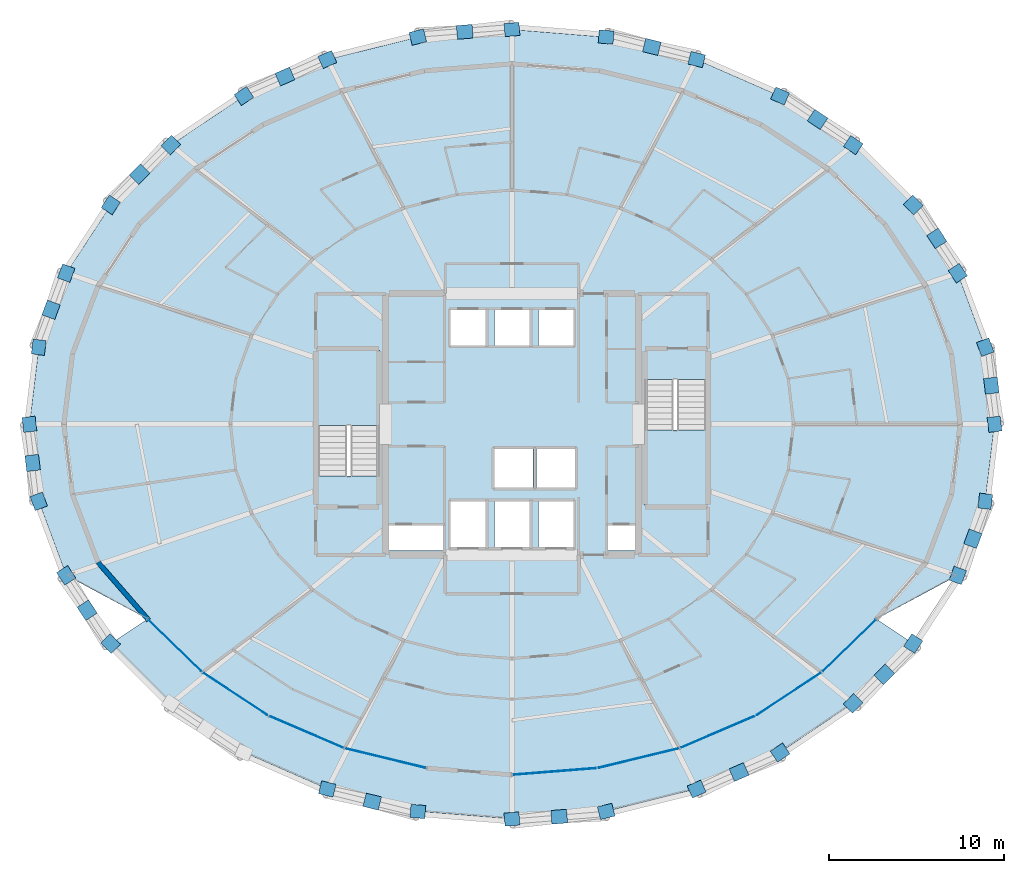
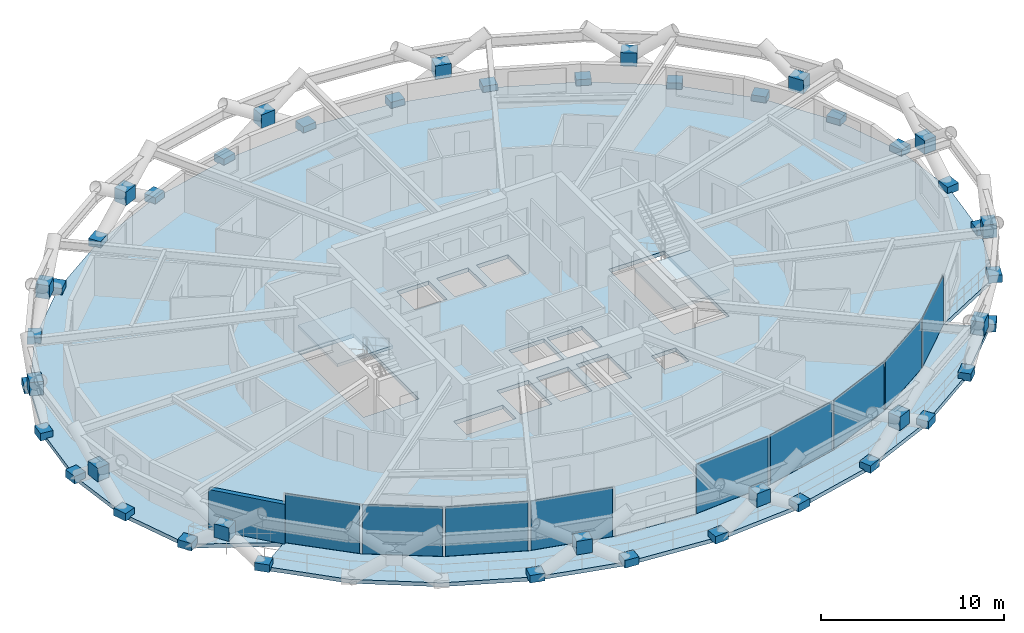
# One storey, part 10 of 17: 54 plates, 4 slabs, 1 wall, 4 elements without a shape of their own.
"""IFC4 building model written with IfcOpenShell, lengths in metres."""

from ifc_helpers import new_model, si_unit, direction, frame, frame_2d, origin, origin_2d, place, context, subcontext, project, spatial, polyline, rectangle, outline, extrude, material, layer, layer_set, type_object, element, aggregate, save


model = new_model("IFC4")

# Units and contexts
model_context = context("Model", 3, precision=1e-05, world=origin(), true_north=direction((0.0, 1.0)))
body_context = subcontext(model_context, "Body", "Model", "MODEL_VIEW")
ifc_project = project(units=[si_unit("LENGTHUNIT", "METRE"), si_unit("AREAUNIT", "SQUARE_METRE"), si_unit("VOLUMEUNIT", "CUBIC_METRE"), si_unit("PLANEANGLEUNIT", "RADIAN"), si_unit("MASSUNIT", "GRAM", prefix="KILO")], contexts=[model_context])

# Site, building, storey
site_placement = place(None, origin())
site = spatial("IfcSite", under=ifc_project, at=site_placement, CompositionType="ELEMENT")
building_placement = place(site_placement, origin())
building = spatial("IfcBuilding", under=site, at=building_placement, Name="Veldorina Hangang Commons", CompositionType="ELEMENT")
storey_placement = place(building_placement, frame((0.0, 0.0, 30.39990234375)))
storey = spatial("IfcBuildingStorey", under=building, at=storey_placement, Name="L06", CompositionType="ELEMENT", Elevation=30.39990234375)

# Curtain wall, plates
ifc_material_1 = material(Name="Glass Low-E Triple IGU", Category="glass")
ifc_layer_1 = layer(ifc_material_1, 0.179931640625)
ifc_layer_set_1 = layer_set([ifc_layer_1], Name="Glass Low-E Triple IGU")
curtain_wall_type = type_object("IfcCurtainWallType", Name="CW-SYS-Z1", PredefinedType="NOTDEFINED", material=ifc_layer_set_1)
curtain_wall_1_placement = place(storey_placement, origin())
curtain_wall_1 = element("IfcCurtainWall", 1, at=curtain_wall_1_placement, inside=storey, type_object=curtain_wall_type, Name="L06 unitised curtain wall CW-L06-R1", PredefinedType="NOTDEFINED")
ifc_layer_2 = layer(ifc_material_1, 0.0400390625)
ifc_layer_set_2 = layer_set([ifc_layer_2], Name="Glass Low-E Triple IGU")
plate_type_1 = type_object("IfcPlateType", Name="CW-PNL-VIS", PredefinedType="CURTAIN_PANEL", material=ifc_layer_set_2)
plate_1_placement = place(storey_placement, frame((12.783203125, 11.3857421875, 0.01513671875), z_axis=(0.0, 0.0, 1.0), x_axis=(0.716143601355, -0.697952965635, 0.0)))
plate_1 = element("IfcPlate", 2, at=plate_1_placement, type_object=plate_type_1, Name="CW-L06-R1 facet 1 glazed vision panel", PredefinedType="CURTAIN_PANEL", context=body_context, shape_type="SweptSolid", body=[
    extrude(rectangle(XDim=4.157958984375, YDim=0.0400390625, at=origin_2d()), origin(), (0.0, 0.0, 1.0), 3.27001953125),
])
plate_2_placement = place(storey_placement, frame((16.229248046875, 8.629638671875, 0.01513671875), z_axis=(0.0, 0.0, 1.0), x_axis=(0.835979800725, -0.548760214283, 0.0)))
plate_2 = element("IfcPlate", 3, at=plate_2_placement, type_object=plate_type_1, Name="CW-L06-R1 facet 2 glazed vision panel", PredefinedType="CURTAIN_PANEL", context=body_context, shape_type="SweptSolid", body=[
    extrude(rectangle(XDim=4.34814453125, YDim=0.0400390625, at=origin_2d()), origin(), (0.0, 0.0, 1.0), 3.27001953125),
])
plate_3_placement = place(storey_placement, frame((20.28125, 6.464111328125, 0.01513671875), z_axis=(0.0, 0.0, 1.0), x_axis=(0.919499351884, -0.393091518459, 0.0)))
plate_3 = element("IfcPlate", 4, at=plate_3_placement, type_object=plate_type_1, Name="CW-L06-R1 facet 3 glazed vision panel", PredefinedType="CURTAIN_PANEL", context=body_context, shape_type="SweptSolid", body=[
    extrude(rectangle(XDim=4.516845703125, YDim=0.0400390625, at=origin_2d()), origin(), (0.0, 0.0, 1.0), 3.27001953125),
])
plate_4_placement = place(storey_placement, frame((24.78369140625, 4.972412109375, 0.01513671875), z_axis=(0.0, 0.0, 1.0), x_axis=(0.971800719266, -0.235803651445, 0.0)))
plate_4 = element("IfcPlate", 5, at=plate_4_placement, type_object=plate_type_1, Name="CW-L06-R1 facet 4 glazed vision panel", PredefinedType="CURTAIN_PANEL", context=body_context, shape_type="SweptSolid", body=[
    extrude(rectangle(XDim=4.64208984375, YDim=0.0400390625, at=origin_2d()), origin(), (0.0, 0.0, 1.0), 3.27001953125),
])
aggregate(curtain_wall_1, [plate_1, plate_2, plate_3, plate_4])

curtain_wall_2_placement = place(storey_placement, origin())
curtain_wall_2 = element("IfcCurtainWall", 6, at=curtain_wall_2_placement, inside=storey, type_object=curtain_wall_type, Name="L06 unitised curtain wall CW-L06-R2", PredefinedType="NOTDEFINED")
plate_5_placement = place(storey_placement, frame((34.436767578125, 4.2119140625, 0.01513671875), z_axis=(0.0, 0.0, 1.0), x_axis=(0.996911853826, 0.078528693496, 0.0)))
plate_5 = element("IfcPlate", 7, at=plate_5_placement, type_object=plate_type_1, Name="CW-L06-R2 facet 1 glazed vision panel", PredefinedType="CURTAIN_PANEL", context=body_context, shape_type="SweptSolid", body=[
    extrude(rectangle(XDim=4.70849609375, YDim=0.0400390625, at=origin_2d()), origin(), (0.0, 0.0, 1.0), 3.27001953125),
])
plate_6_placement = place(storey_placement, frame((39.21630859375, 4.972412109375, 0.01513671875), z_axis=(0.0, 0.0, 1.0), x_axis=(0.971800719266, 0.235803651445, 0.0)))
plate_6 = element("IfcPlate", 8, at=plate_6_placement, type_object=plate_type_1, Name="CW-L06-R2 facet 2 glazed vision panel", PredefinedType="CURTAIN_PANEL", context=body_context, shape_type="SweptSolid", body=[
    extrude(rectangle(XDim=4.64208984375, YDim=0.0400390625, at=origin_2d()), origin(), (0.0, 0.0, 1.0), 3.27001953125),
])
plate_7_placement = place(storey_placement, frame((43.71875, 6.464111328125, 0.01513671875), z_axis=(0.0, 0.0, 1.0), x_axis=(0.919499351884, 0.393091518459, 0.0)))
plate_7 = element("IfcPlate", 9, at=plate_7_placement, type_object=plate_type_1, Name="CW-L06-R2 facet 3 glazed vision panel", PredefinedType="CURTAIN_PANEL", context=body_context, shape_type="SweptSolid", body=[
    extrude(rectangle(XDim=4.516845703125, YDim=0.0400390625, at=origin_2d()), origin(), (0.0, 0.0, 1.0), 3.27001953125),
])
plate_8_placement = place(storey_placement, frame((47.770751953125, 8.629638671875, 0.01513671875), z_axis=(0.0, 0.0, 1.0), x_axis=(0.835979800725, 0.548760214283, 0.0)))
plate_8 = element("IfcPlate", 10, at=plate_8_placement, type_object=plate_type_1, Name="CW-L06-R2 facet 4 glazed vision panel", PredefinedType="CURTAIN_PANEL", context=body_context, shape_type="SweptSolid", body=[
    extrude(rectangle(XDim=4.34814453125, YDim=0.0400390625, at=origin_2d()), origin(), (0.0, 0.0, 1.0), 3.27001953125),
])
plate_9_placement = place(storey_placement, frame((51.216796875, 11.3857421875, 0.01513671875), z_axis=(0.0, 0.0, 1.0), x_axis=(0.716143601355, 0.697952965635, 0.0)))
plate_9 = element("IfcPlate", 11, at=plate_9_placement, type_object=plate_type_1, Name="CW-L06-R2 facet 5 glazed vision panel", PredefinedType="CURTAIN_PANEL", context=body_context, shape_type="SweptSolid", body=[
    extrude(rectangle(XDim=4.157958984375, YDim=0.0400390625, at=origin_2d()), origin(), (0.0, 0.0, 1.0), 3.27001953125),
])
aggregate(curtain_wall_2, [plate_5, plate_6, plate_7, plate_8, plate_9])

# Plates
ifc_material_2 = material(Name="Steel SM460-TMC", Category="steel")
ifc_layer_3 = layer(ifc_material_2, 0.035888671875)
ifc_layer_set_3 = layer_set([ifc_layer_3], Name="Steel SM460-TMC")
plate_type_2 = type_object("IfcPlateType", Name="PL-STAR-36", PredefinedType="USERDEFINED", material=ifc_layer_set_3)
plate_10_placement = place(storey_placement, frame((59.5, 24.0, -0.08984375), z_axis=(0.0, 0.0, 1.0), x_axis=(-0.119513047327, 0.992832630164, 0.0)))
element("IfcPlate", 12, at=plate_10_placement, inside=storey, type_object=plate_type_2, Name="L06 diagrid star-node gusset plate 00", ObjectType="GUSSET PLATE", PredefinedType="USERDEFINED", context=body_context, shape_type="SweptSolid", body=[
    extrude(rectangle(XDim=0.85009765625, YDim=0.75, at=origin_2d()), origin(), (0.0, 0.0, 1.0), 0.5),
])
plate_11_placement = place(storey_placement, frame((59.31884765625, 26.202880859375, 1.343505859375), z_axis=(0.0, 0.0, 1.0), x_axis=(-0.119513047327, 0.992832630164, 0.0)))
element("IfcPlate", 13, at=plate_11_placement, inside=storey, type_object=plate_type_2, Name="L06 diagrid X-crossing star-node gusset plate 00", ObjectType="GUSSET PLATE", PredefinedType="USERDEFINED", context=body_context, shape_type="SweptSolid", body=[
    extrude(rectangle(XDim=0.89990234375, YDim=0.780029296875, at=origin_2d()), origin(), (0.0, 0.0, 1.0), 0.89990234375),
])
for number, where, z_axis, x_axis, name in (
    (14, (58.9716796875, 28.389404296875, -0.08984375), (0.0, 0.0, 1.0), (-0.347623066797, 0.937634365534, 0.0), "L06 diagrid star-node gusset plate 01"),
    (15, (57.40673828125, 32.6103515625, -0.08984375), (0.0, 0.0, 1.0), (-0.546935084777, 0.83717501936, 0.0), "L06 diagrid star-node gusset plate 02"),
):
    element("IfcPlate", number, at=place(storey_placement, frame(where, z_axis=z_axis, x_axis=x_axis)), inside=storey, type_object=plate_type_2, Name=name, ObjectType="GUSSET PLATE", PredefinedType="USERDEFINED", context=body_context, shape_type="SweptSolid", body=[
        extrude(rectangle(XDim=0.85009765625, YDim=0.75, at=origin_2d()), origin(), (0.0, 0.0, 1.0), 0.5),
    ])
plate_12_placement = place(storey_placement, frame((56.210205078125, 34.594970703125, 1.34375), z_axis=(0.0, 0.0, 1.0), x_axis=(-0.546935084777, 0.83717501936, 0.0)))
element("IfcPlate", 16, at=plate_12_placement, inside=storey, type_object=plate_type_2, Name="L06 diagrid X-crossing star-node gusset plate 02", ObjectType="GUSSET PLATE", PredefinedType="USERDEFINED", context=body_context, shape_type="SweptSolid", body=[
    extrude(rectangle(XDim=0.89990234375, YDim=0.780029296875, at=origin_2d()), origin(), (0.0, 0.0, 1.0), 0.89990234375),
])
for number, where, z_axis, x_axis, name in (
    (17, (54.865478515625, 36.500244140625, -0.08984375), (0.0, 0.0, 1.0), (-0.708179662314, 0.706032269719, 0.0), "L06 diagrid star-node gusset plate 03"),
    (18, (51.4453125, 39.909912109375, -0.08984375), (0.0, 0.0, 1.0), (-0.830197194737, 0.557469835821, 0.0), "L06 diagrid star-node gusset plate 04"),
):
    element("IfcPlate", number, at=place(storey_placement, frame(where, z_axis=z_axis, x_axis=x_axis)), inside=storey, type_object=plate_type_2, Name=name, ObjectType="GUSSET PLATE", PredefinedType="USERDEFINED", context=body_context, shape_type="SweptSolid", body=[
        extrude(rectangle(XDim=0.85009765625, YDim=0.75, at=origin_2d()), origin(), (0.0, 0.0, 1.0), 0.5),
    ])
plate_13_placement = place(storey_placement, frame((49.4150390625, 41.3740234375, 1.34423828125), z_axis=(0.0, 0.0, 1.0), x_axis=(-0.830197194737, 0.557469835821, 0.0)))
element("IfcPlate", 19, at=plate_13_placement, inside=storey, type_object=plate_type_2, Name="L06 diagrid X-crossing star-node gusset plate 04", ObjectType="GUSSET PLATE", PredefinedType="USERDEFINED", context=body_context, shape_type="SweptSolid", body=[
    extrude(rectangle(XDim=0.89990234375, YDim=0.780029296875, at=origin_2d()), origin(), (0.0, 0.0, 1.0), 0.89990234375),
])
for number, where, z_axis, x_axis, name in (
    (20, (47.2783203125, 42.7080078125, -0.08984375), (0.0, 0.0, 1.0), (-0.916215932431, 0.400684870141, 0.0), "L06 diagrid star-node gusset plate 05"),
    (21, (42.523681640625, 44.787353515625, -0.08984375), (0.0, 0.0, 1.0), (-0.970552738672, 0.240888732524, 0.0), "L06 diagrid star-node gusset plate 06"),
):
    element("IfcPlate", number, at=place(storey_placement, frame(where, z_axis=z_axis, x_axis=x_axis)), inside=storey, type_object=plate_type_2, Name=name, ObjectType="GUSSET PLATE", PredefinedType="USERDEFINED", context=body_context, shape_type="SweptSolid", body=[
        extrude(rectangle(XDim=0.85009765625, YDim=0.75, at=origin_2d()), origin(), (0.0, 0.0, 1.0), 0.5),
    ])
plate_14_placement = place(storey_placement, frame((39.968505859375, 45.507568359375, 1.3447265625), z_axis=(0.0, 0.0, 1.0), x_axis=(-0.970552738672, 0.240888732524, 0.0)))
element("IfcPlate", 22, at=plate_14_placement, inside=storey, type_object=plate_type_2, Name="L06 diagrid X-crossing star-node gusset plate 06", ObjectType="GUSSET PLATE", PredefinedType="USERDEFINED", context=body_context, shape_type="SweptSolid", body=[
    extrude(rectangle(XDim=0.89990234375, YDim=0.780029296875, at=origin_2d()), origin(), (0.0, 0.0, 1.0), 0.89990234375),
])
for number, where, z_axis, x_axis, name in (
    (23, (37.364990234375, 46.067626953125, -0.08984375), (0.0, 0.0, 1.0), (-0.99676907287, 0.080320703243, 0.0), "L06 diagrid star-node gusset plate 07"),
    (24, (32.0, 46.5, -0.08984375), (0.0, 0.0, 1.0), (-0.99676907287, -0.080320703243, 0.0), "L06 diagrid star-node gusset plate 08"),
):
    element("IfcPlate", number, at=place(storey_placement, frame(where, z_axis=z_axis, x_axis=x_axis)), inside=storey, type_object=plate_type_2, Name=name, ObjectType="GUSSET PLATE", PredefinedType="USERDEFINED", context=body_context, shape_type="SweptSolid", body=[
        extrude(rectangle(XDim=0.85009765625, YDim=0.75, at=origin_2d()), origin(), (0.0, 0.0, 1.0), 0.5),
    ])
plate_15_placement = place(storey_placement, frame((29.309326171875, 46.36669921875, 1.3447265625), z_axis=(0.0, 0.0, 1.0), x_axis=(-0.99676907287, -0.080320703243, 0.0)))
element("IfcPlate", 25, at=plate_15_placement, inside=storey, type_object=plate_type_2, Name="L06 diagrid X-crossing star-node gusset plate 08", ObjectType="GUSSET PLATE", PredefinedType="USERDEFINED", context=body_context, shape_type="SweptSolid", body=[
    extrude(rectangle(XDim=0.89990234375, YDim=0.780029296875, at=origin_2d()), origin(), (0.0, 0.0, 1.0), 0.89990234375),
])
for number, where, z_axis, x_axis, name in (
    (26, (26.635009765625, 46.067626953125, -0.08984375), (0.0, 0.0, 1.0), (-0.970552738672, -0.240888732524, 0.0), "L06 diagrid star-node gusset plate 09"),
    (27, (21.476318359375, 44.787353515625, -0.08984375), (0.0, 0.0, 1.0), (-0.916215932431, -0.400684870141, 0.0), "L06 diagrid star-node gusset plate 10"),
):
    element("IfcPlate", number, at=place(storey_placement, frame(where, z_axis=z_axis, x_axis=x_axis)), inside=storey, type_object=plate_type_2, Name=name, ObjectType="GUSSET PLATE", PredefinedType="USERDEFINED", context=body_context, shape_type="SweptSolid", body=[
        extrude(rectangle(XDim=0.85009765625, YDim=0.75, at=origin_2d()), origin(), (0.0, 0.0, 1.0), 0.5),
    ])
plate_16_placement = place(storey_placement, frame((19.06005859375, 43.820556640625, 1.344482421875), z_axis=(0.0, 0.0, 1.0), x_axis=(-0.916215932431, -0.400684870141, 0.0)))
element("IfcPlate", 28, at=plate_16_placement, inside=storey, type_object=plate_type_2, Name="L06 diagrid X-crossing star-node gusset plate 10", ObjectType="GUSSET PLATE", PredefinedType="USERDEFINED", context=body_context, shape_type="SweptSolid", body=[
    extrude(rectangle(XDim=0.89990234375, YDim=0.780029296875, at=origin_2d()), origin(), (0.0, 0.0, 1.0), 0.89990234375),
])
for number, where, z_axis, x_axis, name in (
    (29, (16.7216796875, 42.7080078125, -0.08984375), (0.0, 0.0, 1.0), (-0.830197194737, -0.557469835821, 0.0), "L06 diagrid star-node gusset plate 11"),
    (30, (12.5546875, 39.909912109375, -0.08984375), (0.0, 0.0, 1.0), (-0.708179662314, -0.706032269719, 0.0), "L06 diagrid star-node gusset plate 12"),
):
    element("IfcPlate", number, at=place(storey_placement, frame(where, z_axis=z_axis, x_axis=x_axis)), inside=storey, type_object=plate_type_2, Name=name, ObjectType="GUSSET PLATE", PredefinedType="USERDEFINED", context=body_context, shape_type="SweptSolid", body=[
        extrude(rectangle(XDim=0.85009765625, YDim=0.75, at=origin_2d()), origin(), (0.0, 0.0, 1.0), 0.5),
    ])
plate_17_placement = place(storey_placement, frame((10.78076171875, 38.25732421875, 1.343994140625), z_axis=(0.0, 0.0, 1.0), x_axis=(-0.708179662314, -0.706032269719, 0.0)))
element("IfcPlate", 31, at=plate_17_placement, inside=storey, type_object=plate_type_2, Name="L06 diagrid X-crossing star-node gusset plate 12", ObjectType="GUSSET PLATE", PredefinedType="USERDEFINED", context=body_context, shape_type="SweptSolid", body=[
    extrude(rectangle(XDim=0.89990234375, YDim=0.780029296875, at=origin_2d()), origin(), (0.0, 0.0, 1.0), 0.89990234375),
])
for number, where, z_axis, x_axis, name in (
    (32, (9.134521484375, 36.500244140625, -0.08984375), (0.0, 0.0, 1.0), (-0.546935084777, -0.83717501936, 0.0), "L06 diagrid star-node gusset plate 13"),
    (33, (6.59326171875, 32.6103515625, -0.08984375), (0.0, 0.0, 1.0), (-0.347623066797, -0.937634365534, 0.0), "L06 diagrid star-node gusset plate 14"),
):
    element("IfcPlate", number, at=place(storey_placement, frame(where, z_axis=z_axis, x_axis=x_axis)), inside=storey, type_object=plate_type_2, Name=name, ObjectType="GUSSET PLATE", PredefinedType="USERDEFINED", context=body_context, shape_type="SweptSolid", body=[
        extrude(rectangle(XDim=0.85009765625, YDim=0.75, at=origin_2d()), origin(), (0.0, 0.0, 1.0), 0.5),
    ])
plate_18_placement = place(storey_placement, frame((5.731689453125, 30.52392578125, 1.34375), z_axis=(0.0, 0.0, 1.0), x_axis=(-0.347623066797, -0.937634365534, 0.0)))
element("IfcPlate", 34, at=plate_18_placement, inside=storey, type_object=plate_type_2, Name="L06 diagrid X-crossing star-node gusset plate 14", ObjectType="GUSSET PLATE", PredefinedType="USERDEFINED", context=body_context, shape_type="SweptSolid", body=[
    extrude(rectangle(XDim=0.89990234375, YDim=0.780029296875, at=origin_2d()), origin(), (0.0, 0.0, 1.0), 0.89990234375),
])
for number, where, z_axis, x_axis, name in (
    (35, (5.0283203125, 28.389404296875, -0.08984375), (0.0, 0.0, 1.0), (-0.119513047327, -0.992832630164, 0.0), "L06 diagrid star-node gusset plate 15"),
    (36, (4.5, 24.0, -0.08984375), (0.0, 0.0, 1.0), (0.119513047327, -0.992832630164, 0.0), "L06 diagrid star-node gusset plate 16"),
):
    element("IfcPlate", number, at=place(storey_placement, frame(where, z_axis=z_axis, x_axis=x_axis)), inside=storey, type_object=plate_type_2, Name=name, ObjectType="GUSSET PLATE", PredefinedType="USERDEFINED", context=body_context, shape_type="SweptSolid", body=[
        extrude(rectangle(XDim=0.85009765625, YDim=0.75, at=origin_2d()), origin(), (0.0, 0.0, 1.0), 0.5),
    ])
plate_19_placement = place(storey_placement, frame((4.68115234375, 21.797119140625, 1.343505859375), z_axis=(0.0, 0.0, 1.0), x_axis=(0.119513047327, -0.992832630164, 0.0)))
element("IfcPlate", 37, at=plate_19_placement, inside=storey, type_object=plate_type_2, Name="L06 diagrid X-crossing star-node gusset plate 16", ObjectType="GUSSET PLATE", PredefinedType="USERDEFINED", context=body_context, shape_type="SweptSolid", body=[
    extrude(rectangle(XDim=0.89990234375, YDim=0.780029296875, at=origin_2d()), origin(), (0.0, 0.0, 1.0), 0.89990234375),
])
for number, where, z_axis, x_axis, name in (
    (38, (5.0283203125, 19.610595703125, -0.08984375), (0.0, 0.0, 1.0), (0.347623066797, -0.937634365534, 0.0), "L06 diagrid star-node gusset plate 17"),
    (39, (6.59326171875, 15.3896484375, -0.08984375), (0.0, 0.0, 1.0), (0.546935084777, -0.83717501936, 0.0), "L06 diagrid star-node gusset plate 18"),
):
    element("IfcPlate", number, at=place(storey_placement, frame(where, z_axis=z_axis, x_axis=x_axis)), inside=storey, type_object=plate_type_2, Name=name, ObjectType="GUSSET PLATE", PredefinedType="USERDEFINED", context=body_context, shape_type="SweptSolid", body=[
        extrude(rectangle(XDim=0.85009765625, YDim=0.75, at=origin_2d()), origin(), (0.0, 0.0, 1.0), 0.5),
    ])
plate_20_placement = place(storey_placement, frame((7.789794921875, 13.405029296875, 1.34375), z_axis=(0.0, 0.0, 1.0), x_axis=(0.546935084777, -0.83717501936, 0.0)))
element("IfcPlate", 40, at=plate_20_placement, inside=storey, type_object=plate_type_2, Name="L06 diagrid X-crossing star-node gusset plate 18", ObjectType="GUSSET PLATE", PredefinedType="USERDEFINED", context=body_context, shape_type="SweptSolid", body=[
    extrude(rectangle(XDim=0.89990234375, YDim=0.780029296875, at=origin_2d()), origin(), (0.0, 0.0, 1.0), 0.89990234375),
])
for number, where, z_axis, x_axis, name in (
    (41, (9.134521484375, 11.499755859375, -0.08984375), (0.0, 0.0, 1.0), (0.708179662314, -0.706032269719, 0.0), "L06 diagrid star-node gusset plate 19"),
    (42, (21.476318359375, 3.212646484375, -0.08984375), (0.0, 0.0, 1.0), (0.970552738672, -0.240888732524, 0.0), "L06 diagrid star-node gusset plate 22"),
):
    element("IfcPlate", number, at=place(storey_placement, frame(where, z_axis=z_axis, x_axis=x_axis)), inside=storey, type_object=plate_type_2, Name=name, ObjectType="GUSSET PLATE", PredefinedType="USERDEFINED", context=body_context, shape_type="SweptSolid", body=[
        extrude(rectangle(XDim=0.85009765625, YDim=0.75, at=origin_2d()), origin(), (0.0, 0.0, 1.0), 0.5),
    ])
plate_21_placement = place(storey_placement, frame((24.031494140625, 2.492431640625, 1.3447265625), z_axis=(0.0, 0.0, 1.0), x_axis=(0.970552738672, -0.240888732524, 0.0)))
element("IfcPlate", 43, at=plate_21_placement, inside=storey, type_object=plate_type_2, Name="L06 diagrid X-crossing star-node gusset plate 22", ObjectType="GUSSET PLATE", PredefinedType="USERDEFINED", context=body_context, shape_type="SweptSolid", body=[
    extrude(rectangle(XDim=0.89990234375, YDim=0.780029296875, at=origin_2d()), origin(), (0.0, 0.0, 1.0), 0.89990234375),
])
for number, where, z_axis, x_axis, name in (
    (44, (26.635009765625, 1.932373046875, -0.08984375), (0.0, 0.0, 1.0), (0.99676907287, -0.080320703243, 0.0), "L06 diagrid star-node gusset plate 23"),
    (45, (32.0, 1.5, -0.08984375), (0.0, 0.0, 1.0), (0.99676907287, 0.080320703243, 0.0), "L06 diagrid star-node gusset plate 24"),
):
    element("IfcPlate", number, at=place(storey_placement, frame(where, z_axis=z_axis, x_axis=x_axis)), inside=storey, type_object=plate_type_2, Name=name, ObjectType="GUSSET PLATE", PredefinedType="USERDEFINED", context=body_context, shape_type="SweptSolid", body=[
        extrude(rectangle(XDim=0.85009765625, YDim=0.75, at=origin_2d()), origin(), (0.0, 0.0, 1.0), 0.5),
    ])
plate_22_placement = place(storey_placement, frame((34.690673828125, 1.63330078125, 1.3447265625), z_axis=(0.0, 0.0, 1.0), x_axis=(0.99676907287, 0.080320703243, 0.0)))
element("IfcPlate", 46, at=plate_22_placement, inside=storey, type_object=plate_type_2, Name="L06 diagrid X-crossing star-node gusset plate 24", ObjectType="GUSSET PLATE", PredefinedType="USERDEFINED", context=body_context, shape_type="SweptSolid", body=[
    extrude(rectangle(XDim=0.89990234375, YDim=0.780029296875, at=origin_2d()), origin(), (0.0, 0.0, 1.0), 0.89990234375),
])
for number, where, z_axis, x_axis, name in (
    (47, (37.364990234375, 1.932373046875, -0.08984375), (0.0, 0.0, 1.0), (0.970552738672, 0.240888732524, 0.0), "L06 diagrid star-node gusset plate 25"),
    (48, (42.523681640625, 3.212646484375, -0.08984375), (0.0, 0.0, 1.0), (0.916215932431, 0.400684870141, 0.0), "L06 diagrid star-node gusset plate 26"),
):
    element("IfcPlate", number, at=place(storey_placement, frame(where, z_axis=z_axis, x_axis=x_axis)), inside=storey, type_object=plate_type_2, Name=name, ObjectType="GUSSET PLATE", PredefinedType="USERDEFINED", context=body_context, shape_type="SweptSolid", body=[
        extrude(rectangle(XDim=0.85009765625, YDim=0.75, at=origin_2d()), origin(), (0.0, 0.0, 1.0), 0.5),
    ])
plate_23_placement = place(storey_placement, frame((44.93994140625, 4.179443359375, 1.344482421875), z_axis=(0.0, 0.0, 1.0), x_axis=(0.916215932431, 0.400684870141, 0.0)))
element("IfcPlate", 49, at=plate_23_placement, inside=storey, type_object=plate_type_2, Name="L06 diagrid X-crossing star-node gusset plate 26", ObjectType="GUSSET PLATE", PredefinedType="USERDEFINED", context=body_context, shape_type="SweptSolid", body=[
    extrude(rectangle(XDim=0.89990234375, YDim=0.780029296875, at=origin_2d()), origin(), (0.0, 0.0, 1.0), 0.89990234375),
])
for number, where, z_axis, x_axis, name in (
    (50, (47.2783203125, 5.2919921875, -0.08984375), (0.0, 0.0, 1.0), (0.830197194737, 0.557469835821, 0.0), "L06 diagrid star-node gusset plate 27"),
    (51, (51.4453125, 8.090087890625, -0.08984375), (0.0, 0.0, 1.0), (0.708179662314, 0.706032269719, 0.0), "L06 diagrid star-node gusset plate 28"),
):
    element("IfcPlate", number, at=place(storey_placement, frame(where, z_axis=z_axis, x_axis=x_axis)), inside=storey, type_object=plate_type_2, Name=name, ObjectType="GUSSET PLATE", PredefinedType="USERDEFINED", context=body_context, shape_type="SweptSolid", body=[
        extrude(rectangle(XDim=0.85009765625, YDim=0.75, at=origin_2d()), origin(), (0.0, 0.0, 1.0), 0.5),
    ])
plate_24_placement = place(storey_placement, frame((53.21923828125, 9.74267578125, 1.343994140625), z_axis=(0.0, 0.0, 1.0), x_axis=(0.708179662314, 0.706032269719, 0.0)))
element("IfcPlate", 52, at=plate_24_placement, inside=storey, type_object=plate_type_2, Name="L06 diagrid X-crossing star-node gusset plate 28", ObjectType="GUSSET PLATE", PredefinedType="USERDEFINED", context=body_context, shape_type="SweptSolid", body=[
    extrude(rectangle(XDim=0.89990234375, YDim=0.780029296875, at=origin_2d()), origin(), (0.0, 0.0, 1.0), 0.89990234375),
])
for number, where, z_axis, x_axis, name in (
    (53, (54.865478515625, 11.499755859375, -0.08984375), (0.0, 0.0, 1.0), (0.546935084777, 0.83717501936, 0.0), "L06 diagrid star-node gusset plate 29"),
    (54, (57.40673828125, 15.3896484375, -0.08984375), (0.0, 0.0, 1.0), (0.347623066797, 0.937634365534, 0.0), "L06 diagrid star-node gusset plate 30"),
):
    element("IfcPlate", number, at=place(storey_placement, frame(where, z_axis=z_axis, x_axis=x_axis)), inside=storey, type_object=plate_type_2, Name=name, ObjectType="GUSSET PLATE", PredefinedType="USERDEFINED", context=body_context, shape_type="SweptSolid", body=[
        extrude(rectangle(XDim=0.85009765625, YDim=0.75, at=origin_2d()), origin(), (0.0, 0.0, 1.0), 0.5),
    ])
plate_25_placement = place(storey_placement, frame((58.268310546875, 17.47607421875, 1.34375), z_axis=(0.0, 0.0, 1.0), x_axis=(0.347623066797, 0.937634365534, 0.0)))
element("IfcPlate", 55, at=plate_25_placement, inside=storey, type_object=plate_type_2, Name="L06 diagrid X-crossing star-node gusset plate 30", ObjectType="GUSSET PLATE", PredefinedType="USERDEFINED", context=body_context, shape_type="SweptSolid", body=[
    extrude(rectangle(XDim=0.89990234375, YDim=0.780029296875, at=origin_2d()), origin(), (0.0, 0.0, 1.0), 0.89990234375),
])
plate_26_placement = place(storey_placement, frame((58.9716796875, 19.610595703125, -0.08984375), z_axis=(0.0, 0.0, 1.0), x_axis=(0.119513047327, 0.992832630164, 0.0)))
element("IfcPlate", 56, at=plate_26_placement, inside=storey, type_object=plate_type_2, Name="L06 diagrid star-node gusset plate 31", ObjectType="GUSSET PLATE", PredefinedType="USERDEFINED", context=body_context, shape_type="SweptSolid", body=[
    extrude(rectangle(XDim=0.85009765625, YDim=0.75, at=origin_2d()), origin(), (0.0, 0.0, 1.0), 0.5),
])

# Slabs
ifc_material_3 = material(Name="Concrete C40/50", Category="concrete")
ifc_layer_4 = layer(ifc_material_3, 0.260009765625)
ifc_layer_set_4 = layer_set([ifc_layer_4], Name="Concrete C40/50")
slab_type_1 = type_object("IfcSlabType", Name="SL-FLR-260", PredefinedType="FLOOR", material=ifc_layer_set_4)
slab_1_placement = place(storey_placement, frame((0.0, 0.0, -0.260009765625)))
element("IfcSlab", 57, at=slab_1_placement, inside=storey, type_object=slab_type_1, Name="L06 tower structural floor slab", PredefinedType="FLOOR", context=body_context, shape_type="SweptSolid", body=[
    extrude(outline(polyline([(59.5, 24.0), (58.9716796875, 28.389404296875), (57.40673828125, 32.6103515625), (54.865478515625, 36.500244140625), (51.4453125, 39.909912109375), (47.2783203125, 42.7080078125), (42.523681640625, 44.787353515625), (37.364990234375, 46.067626953125), (32.0, 46.5), (26.635009765625, 46.067626953125), (21.476318359375, 44.787353515625), (16.7216796875, 42.7080078125), (12.5546875, 39.909912109375), (9.134521484375, 36.500244140625), (6.59326171875, 32.6103515625), (5.0283203125, 28.389404296875), (4.5, 24.0), (5.0283203125, 19.610595703125), (6.59326171875, 15.3896484375), (11.22998046875, 12.899658203125), (14.33642578125, 9.8720703125), (18.121826171875, 7.38720703125), (22.440673828125, 5.541015625), (27.126708984375, 4.40380859375), (32.0, 4.02001953125), (36.873291015625, 4.40380859375), (41.559326171875, 5.541015625), (45.878173828125, 7.38720703125), (49.66357421875, 9.8720703125), (52.77001953125, 12.899658203125), (57.40673828125, 15.3896484375), (58.9716796875, 19.610595703125), (59.5, 24.0)]), holes=[polyline([(20.949951171875, 21.05810546875), (20.949951171875, 28.199951171875), (24.449951171875, 28.199951171875), (24.449951171875, 21.05810546875), (20.949951171875, 21.05810546875)]), polyline([(43.050048828125, 26.5419921875), (43.050048828125, 19.39990234375), (39.550048828125, 19.39990234375), (39.550048828125, 26.5419921875), (43.050048828125, 26.5419921875)]), polyline([(28.5, 30.5), (30.5, 30.5), (30.5, 28.5), (28.5, 28.5), (28.5, 30.5)]), polyline([(31.0, 30.5), (33.0, 30.5), (33.0, 28.5), (31.0, 28.5), (31.0, 30.5)]), polyline([(33.5, 30.5), (35.5, 30.5), (35.5, 28.5), (33.5, 28.5), (33.5, 30.5)]), polyline([(31.0, 22.60009765625), (33.199951171875, 22.60009765625), (33.199951171875, 20.39990234375), (31.0, 20.39990234375), (31.0, 22.60009765625)]), polyline([(33.39990234375, 22.60009765625), (35.60009765625, 22.60009765625), (35.60009765625, 20.39990234375), (33.39990234375, 20.39990234375), (33.39990234375, 22.60009765625)]), polyline([(28.5, 19.60009765625), (30.5, 19.60009765625), (30.5, 17.0), (28.5, 17.0), (28.5, 19.60009765625)]), polyline([(31.0, 19.60009765625), (33.0, 19.60009765625), (33.0, 17.0), (31.0, 17.0), (31.0, 19.60009765625)]), polyline([(33.5, 19.60009765625), (35.5, 19.60009765625), (35.5, 17.0), (33.5, 17.0), (33.5, 19.60009765625)]), polyline([(25.0, 18.25), (28.10009765625, 18.25), (28.10009765625, 16.800048828125), (25.0, 16.800048828125), (25.0, 18.25)]), polyline([(37.449951171875, 18.25), (39.0, 18.25), (39.0, 16.800048828125), (37.449951171875, 16.800048828125), (37.449951171875, 18.25)])]), origin(), (0.0, 0.0, 1.0), 0.260009765625),
])
slab_2_placement = place(storey_placement, frame((0.0, 0.0, -0.260009765625)))
element("IfcSlab", 58, at=slab_2_placement, inside=storey, type_object=slab_type_1, Name="L06 sky-garden loggia outdoor slab", PredefinedType="FLOOR", context=body_context, shape_type="SweptSolid", body=[
    extrude(outline(polyline([(54.865478515625, 11.499755859375), (51.4453125, 8.090087890625), (47.2783203125, 5.2919921875), (42.523681640625, 3.212646484375), (37.364990234375, 1.932373046875), (32.0, 1.5), (26.635009765625, 1.932373046875), (21.476318359375, 3.212646484375), (16.7216796875, 5.2919921875), (12.5546875, 8.090087890625), (9.134521484375, 11.499755859375), (11.2158203125, 12.890380859375), (11.220947265625, 12.887451171875), (14.325927734375, 9.861328125), (14.3271484375, 9.8603515625), (14.328369140625, 9.859619140625), (18.11376953125, 7.374755859375), (18.11474609375, 7.3740234375), (18.115966796875, 7.373291015625), (22.434814453125, 5.527099609375), (22.435791015625, 5.526611328125), (22.43701171875, 5.5263671875), (27.123046875, 4.389404296875), (27.124267578125, 4.38916015625), (27.12548828125, 4.388916015625), (31.998779296875, 4.0048828125), (32.0, 4.0048828125), (32.001220703125, 4.0048828125), (36.87451171875, 4.388916015625), (36.875732421875, 4.38916015625), (36.876953125, 4.389404296875), (41.56298828125, 5.5263671875), (41.564208984375, 5.526611328125), (41.565185546875, 5.527099609375), (45.884033203125, 7.373291015625), (45.88525390625, 7.3740234375), (45.88623046875, 7.374755859375), (49.671630859375, 9.859619140625), (49.6728515625, 9.8603515625), (49.674072265625, 9.861328125), (52.779052734375, 12.887451171875), (52.7841796875, 12.890380859375), (54.865478515625, 11.499755859375)])), origin(), (0.0, 0.0, 1.0), 0.260009765625),
])

# Stair, slab
stair_type = type_object("IfcStairType", Name="STR-DOG-1650-20R", PredefinedType="HALF_TURN_STAIR", material=ifc_material_3)
stair_1_placement = place(storey_placement, origin())
stair_1 = element("IfcStair", 59, at=stair_1_placement, inside=storey, type_object=stair_type, Name="L06 Exit stair ST-1", PredefinedType="HALF_TURN_STAIR")
ifc_layer_5 = layer(ifc_material_3, 0.199951171875)
ifc_layer_set_5 = layer_set([ifc_layer_5], Name="Concrete C40/50")
slab_type_2 = type_object("IfcSlabType", Name="SL-LND-200", PredefinedType="LANDING", material=ifc_layer_set_5)
slab_3_placement = place(storey_placement, frame((0.0, 0.0, 1.60009765625)))
slab_3 = element("IfcSlab", 60, at=slab_3_placement, type_object=slab_type_2, Name="ST-1 landing 1", PredefinedType="LANDING", context=body_context, shape_type="SweptSolid", body=[
    extrude(outline(polyline([(24.449951171875, 23.929931640625), (24.449951171875, 28.199951171875), (20.949951171875, 28.199951171875), (20.949951171875, 23.929931640625), (24.449951171875, 23.929931640625)])), origin(), (0.0, 0.0, 1.0), 0.199951171875),
])
aggregate(stair_1, [slab_3])

stair_2_placement = place(storey_placement, origin())
stair_2 = element("IfcStair", 61, at=stair_2_placement, inside=storey, type_object=stair_type, Name="L06 Exit stair ST-2", PredefinedType="HALF_TURN_STAIR")
slab_4_placement = place(storey_placement, frame((0.0, 0.0, 1.60009765625)))
slab_4 = element("IfcSlab", 62, at=slab_4_placement, type_object=slab_type_2, Name="ST-2 landing 1", PredefinedType="LANDING", context=body_context, shape_type="SweptSolid", body=[
    extrude(outline(polyline([(39.550048828125, 23.669921875), (39.550048828125, 19.39990234375), (43.050048828125, 19.39990234375), (43.050048828125, 23.669921875), (39.550048828125, 23.669921875)])), origin(), (0.0, 0.0, 1.0), 0.199951171875),
])
aggregate(stair_2, [slab_4])

# Wall
ifc_material_4 = material(Name="Stone Roman Travertine", Category="masonry")
ifc_layer_6 = layer(ifc_material_4, 0.280029296875)
ifc_layer_set_6 = layer_set([ifc_layer_6], Name="Stone Roman Travertine")
wall_type = type_object("IfcWallType", Name="EW-TRAV-280", PredefinedType="STANDARD", material=ifc_layer_set_6)
wall_placement = place(storey_placement, frame((8.404052734375, 16.1396484375, 0.0), z_axis=(0.0, 0.0, 1.0), x_axis=(0.657287465484, -0.753639958944, 0.0)))
element("IfcWall", 63, at=wall_placement, inside=storey, type_object=wall_type, Name="L06 travertine facade wall 18", PredefinedType="STANDARD", context=body_context, shape_type="SweptSolid", body=[
    extrude(rectangle(XDim=4.39111328125, YDim=0.280029296875, at=frame_2d((2.195556640625, 0.0))), origin(), (0.0, 0.0, 1.0), 2.650146484375),
])

save(model, "model.ifc")
